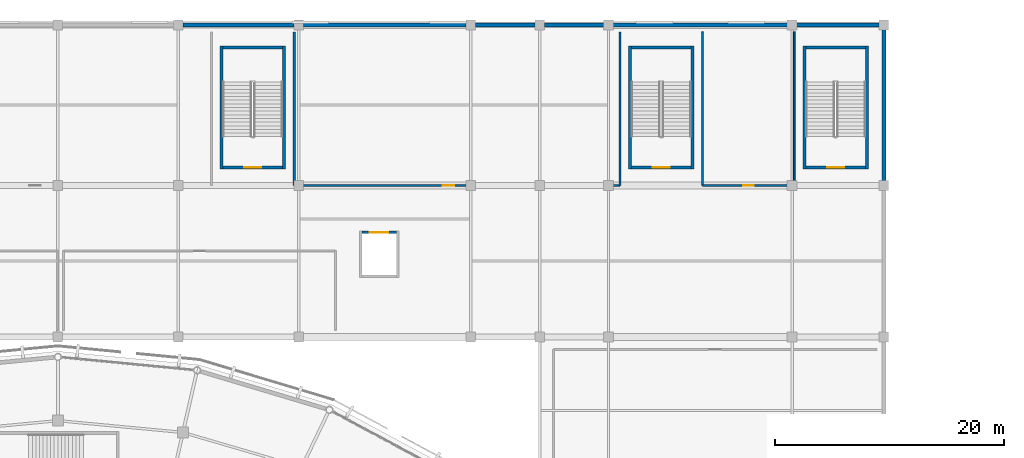
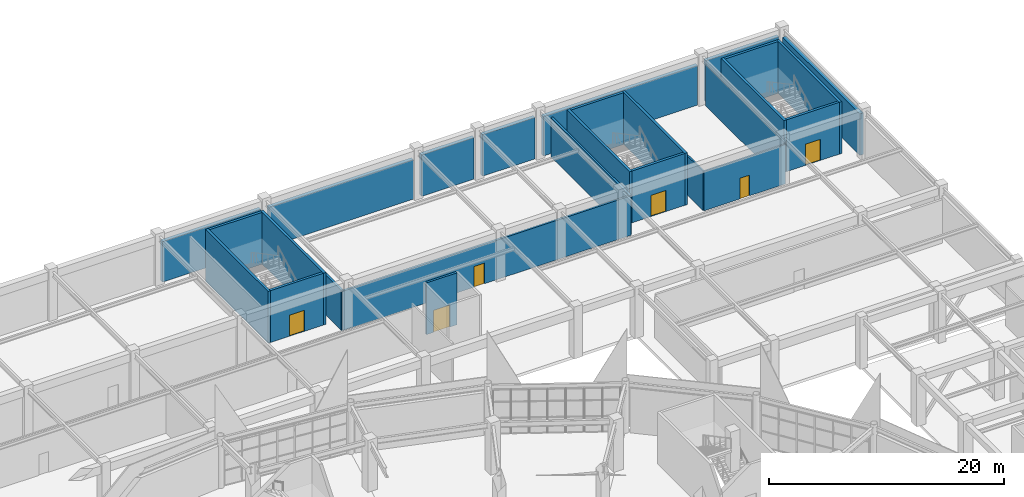
# One storey, part 85 of 120: 26 walls, 6 doors, 6 openings.
"""IFC4 building model written with IfcOpenShell, lengths in metres."""

import ifcopenshell
import ifcopenshell.guid

model = None  # the IFC model being written
_history = None  # IfcOwnerHistory: only IFC2X3 demands one
_inside = {}  # id of a spatial element -> (the spatial element, [elements in it])
_under = {}  # id of a project, library or spatial element -> (it, [spatial elements below it])
_declared = {}  # id of a project -> (the project, [libraries it declares])
_typed = {}  # id of a type object -> (the type object, [elements of that type])
_made_of = {}  # id of a material, layer set ... -> (it, [elements and type objects made of it])


def new_model(schema):
    """Start an empty IFC model of exactly this schema.

    Asked for "IFC4X3", IfcOpenShell would pick the latest addendum, in which some entities
    have other attributes; the version numbers below select the first issue.
    IFC2X3 requires an IfcOwnerHistory on every rooted entity: one is made here for all.
    """
    global model, _history
    if schema == "IFC4X3":
        model = ifcopenshell.file(schema_version=(4, 3, 0, 0))
    else:
        model = ifcopenshell.file(schema=schema)
    _inside.clear()
    _under.clear()
    _declared.clear()
    _typed.clear()
    _made_of.clear()
    _history = None
    if model.schema == "IFC2X3":
        org = make("IfcOrganization", Name="unknown")
        user = make(
            "IfcPersonAndOrganization",
            ThePerson=make("IfcPerson", FamilyName="unknown"),
            TheOrganization=org,
        )
        app = make(
            "IfcApplication",
            ApplicationDeveloper=org,
            Version="unknown",
            ApplicationFullName="unknown",
            ApplicationIdentifier="unknown",
        )
        _history = make(
            "IfcOwnerHistory",
            OwningUser=user,
            OwningApplication=app,
            ChangeAction="ADDED",
            CreationDate=0,
        )
    return model


def make(cls, **values):
    """One entity of the class cls with the attributes given. An attribute that is None is left unset."""
    return model.create_entity(
        cls, **{name: value for name, value in values.items() if value is not None}
    )


def rooted(cls, **values):
    """An entity with a GlobalId (a new one), such as an element, a storey or a relation."""
    return make(cls, GlobalId=ifcopenshell.guid.new(), OwnerHistory=_history, **values)


def si_unit(unit_type, name, prefix=None):
    """IfcSIUnit, for example si_unit("LENGTHUNIT", "METRE", prefix="MILLI")."""
    return make("IfcSIUnit", UnitType=unit_type, Prefix=prefix, Name=name)


def assignment(units):
    """IfcUnitAssignment: the units of a project."""
    return None if units is None else make("IfcUnitAssignment", Units=units)


def point(xyz):
    """IfcCartesianPoint."""
    return None if xyz is None else make("IfcCartesianPoint", Coordinates=xyz)


def direction(xyz):
    """IfcDirection."""
    return None if xyz is None else make("IfcDirection", DirectionRatios=xyz)


def frame(location, z_axis=None, x_axis=None):
    """IfcAxis2Placement3D, a coordinate frame: its origin and axes. An axis left out is left unset."""
    return make(
        "IfcAxis2Placement3D",
        Location=point(location),
        Axis=direction(z_axis),
        RefDirection=direction(x_axis),
    )


def frame_2d(location, x_axis=None):
    """IfcAxis2Placement2D, a coordinate frame in the plane: its origin and x axis."""
    return make(
        "IfcAxis2Placement2D", Location=point(location), RefDirection=direction(x_axis)
    )


def origin():
    """The frame at (0, 0, 0) with its axes left unset."""
    return frame((0.0, 0.0, 0.0))


def place(relative_to, where):
    """IfcLocalPlacement: puts the frame where relative to a parent placement (None: the world)."""
    return make(
        "IfcLocalPlacement", PlacementRelTo=relative_to, RelativePlacement=where
    )


def context(
    kind, dimensions, precision=None, world=None, true_north=None, identifier=None
):
    """IfcGeometricRepresentationContext, for example the 3D "Model" context."""
    return make(
        "IfcGeometricRepresentationContext",
        ContextIdentifier=identifier,
        ContextType=kind,
        CoordinateSpaceDimension=dimensions,
        Precision=precision,
        WorldCoordinateSystem=world,
        TrueNorth=true_north,
    )


def subcontext(parent, identifier, kind, view, scale=None):
    """IfcGeometricRepresentationSubContext, for example "Body" below "Model"."""
    return make(
        "IfcGeometricRepresentationSubContext",
        ContextIdentifier=identifier,
        ContextType=kind,
        ParentContext=parent,
        TargetScale=scale,
        TargetView=view,
    )


def project(units=None, contexts=None):
    """IfcProject with its units and contexts."""
    return rooted(
        "IfcProject",
        Name="project",
        RepresentationContexts=contexts,
        UnitsInContext=assignment(units),
    )


def spatial(cls, under=None, at=None, **own):
    """A site, building, storey or space (cls), placed at a placement, below another one or the project."""
    s = rooted(cls, ObjectPlacement=at, **own)
    if under is not None:
        _under.setdefault(under.id(), (under, []))[1].append(s)
    return s


def profile(cls, at=None, kind="AREA", **sizes):
    """A parametric profile (cls). Its sizes go by their IFC names, for example OverallWidth=200.0."""
    return make(cls, ProfileType=kind, Position=at, **sizes)


def rectangle(**sizes):
    """IfcRectangleProfileDef."""
    return profile("IfcRectangleProfileDef", **sizes)


def extrude(swept, where, along, depth):
    """IfcExtrudedAreaSolid: the profile swept, set in the frame where, extruded along a direction by depth."""
    return make(
        "IfcExtrudedAreaSolid",
        SweptArea=swept,
        Position=where,
        ExtrudedDirection=direction(along),
        Depth=depth,
    )


def shape(context_of_items, identifier, shape_type, items):
    """IfcShapeRepresentation: the items that make up one representation, for example the "Body"."""
    return make(
        "IfcShapeRepresentation",
        ContextOfItems=context_of_items,
        RepresentationIdentifier=identifier,
        RepresentationType=shape_type,
        Items=items,
    )


def material(Name=None, Category=None):
    """IfcMaterial."""
    return make("IfcMaterial", Name=Name, Category=Category)


def layer(
    of_material, thickness, ventilated=None, Name=None, Category=None, Priority=None
):
    """IfcMaterialLayer: one layer of a wall or slab, of a material (None: an air gap)."""
    return make(
        "IfcMaterialLayer",
        Material=of_material,
        LayerThickness=thickness,
        IsVentilated=ventilated,
        Name=Name,
        Category=Category,
        Priority=Priority,
    )


def layer_set(layers, Name=None):
    """IfcMaterialLayerSet."""
    return make("IfcMaterialLayerSet", MaterialLayers=layers, LayerSetName=Name)


def made_of(thing, what):
    """Note that an element or type object is made of a material, layer set ...; save() writes the relation."""
    if what is not None:
        _made_of.setdefault(what.id(), (what, []))[1].append(thing)
    return thing


def type_object(cls, material=None, **own):
    """A type object (cls), such as IfcWallType, which elements share."""
    return made_of(rooted(cls, **own), material)


def element(
    cls,
    number,
    at=None,
    inside=None,
    cuts=None,
    type_object=None,
    material=None,
    context=None,
    identifier="Body",
    shape_type=None,
    held_by="IfcProductDefinitionShape",
    body=None,
    shapes=None,
    **own,
):
    """One element of the class cls, such as IfcWall. Its Tag is "e" and its number.

    at: its placement. inside: the storey or other place that contains it. cuts: it is an
    opening in that element (IfcRelVoidsElement). A single representation is given by context,
    identifier, shape_type and body (its items); several are given by shapes. held_by: the class
    of the entity that holds the representations. save() writes the other relations.
    """
    e = rooted(cls, Tag="e%d" % number, ObjectPlacement=at, **own)
    if body is not None:
        shapes = [shape(context, identifier, shape_type, body)]
    if shapes is not None:
        e.Representation = make(held_by, Representations=shapes)
    if inside is not None:
        _inside.setdefault(inside.id(), (inside, []))[1].append(e)
    if cuts is not None:
        rooted(
            "IfcRelVoidsElement", RelatingBuildingElement=cuts, RelatedOpeningElement=e
        )
    if type_object is not None:
        _typed.setdefault(type_object.id(), (type_object, []))[1].append(e)
    return made_of(e, material)


def fill(opening, filler):
    """IfcRelFillsElement: the door or window that sits in an opening."""
    return rooted(
        "IfcRelFillsElement",
        RelatingOpeningElement=opening,
        RelatedBuildingElement=filler,
    )


def aggregate(whole, parts):
    """IfcRelAggregates: a whole, such as a stair, and the parts it consists of."""
    return rooted("IfcRelAggregates", RelatingObject=whole, RelatedObjects=parts)


def save(model, path):
    """Write the relations noted so far, then the file.

    IfcRelAggregates (storeys below a building ...), IfcRelContainedInSpatialStructure (elements
    in a storey), IfcRelDefinesByType, IfcRelAssociatesMaterial and IfcRelDeclares: one each for
    every whole, place, type object, material and project.
    """
    for whole, parts in _under.values():
        aggregate(whole, parts)
    for where, things in _inside.values():
        rooted(
            "IfcRelContainedInSpatialStructure",
            RelatedElements=things,
            RelatingStructure=where,
        )
    for kind, things in _typed.values():
        rooted("IfcRelDefinesByType", RelatedObjects=things, RelatingType=kind)
    for what, things in _made_of.values():
        rooted("IfcRelAssociatesMaterial", RelatedObjects=things, RelatingMaterial=what)
    for by, libraries in _declared.values():
        rooted("IfcRelDeclares", RelatingContext=by, RelatedDefinitions=libraries)
    model.write(path)


model = new_model("IFC4")

# Units and contexts
model_context = context("Model", 3, precision=1e-05, world=origin(), true_north=direction((0.0, 1.0)))
body_context = subcontext(model_context, "Body", "Model", "MODEL_VIEW")
ifc_project = project(units=[si_unit("LENGTHUNIT", "METRE"), si_unit("AREAUNIT", "SQUARE_METRE"), si_unit("VOLUMEUNIT", "CUBIC_METRE"), si_unit("PLANEANGLEUNIT", "RADIAN"), si_unit("MASSUNIT", "GRAM", prefix="KILO")], contexts=[model_context])

# Site, building, storey
site_placement = place(None, origin())
site = spatial("IfcSite", under=ifc_project, at=site_placement, CompositionType="ELEMENT")
building_placement = place(site_placement, origin())
building = spatial("IfcBuilding", under=site, at=building_placement, Name="Cuetzalor Civic Arena", CompositionType="ELEMENT")
storey_placement = place(building_placement, frame((0.0, 0.0, 6.0)))
storey = spatial("IfcBuildingStorey", under=building, at=storey_placement, Name="L01", CompositionType="ELEMENT", Elevation=6.0)

# Wall, opening, door
ifc_material_1 = material(Name="Acoustic steel-stud gypsum partition", Category="steel")
ifc_layer_1 = layer(ifc_material_1, 0.14990234375)
ifc_layer_set_1 = layer_set([ifc_layer_1], Name="Acoustic steel-stud gypsum partition")
wall_type_1 = type_object("IfcWallType", Name="AcousticGypsumPartition_150", PredefinedType="PARTITIONING", material=ifc_layer_set_1)
wall_1_placement = place(storey_placement, frame((64.199951171875, 61.5, 0.0), z_axis=(0.0, 0.0, 1.0), x_axis=(-1.0, 0.0, 0.0)))
wall_1 = element("IfcWall", 1, at=wall_1_placement, inside=storey, type_object=wall_type_1, Name="Interior Partition IWALL:L01:0249", PredefinedType="PARTITIONING", context=body_context, shape_type="SweptSolid", body=[
    extrude(rectangle(XDim=8.0, YDim=0.14990234375, at=frame_2d((4.0, 0.0))), origin(), (0.0, 0.0, 1.0), 4.10498046875),
])
opening_1_placement = place(wall_1_placement, frame((3.52490234375, 0.0, 0.0)))
opening_1 = element("IfcOpeningElement", 2, at=opening_1_placement, cuts=wall_1, Name="Opening ID-03", PredefinedType="OPENING", context=body_context, shape_type="SweptSolid", body=[
    extrude(rectangle(XDim=0.949951171875, YDim=2.14990234375, at=frame_2d((0.47509765625, 1.074951171875))), frame((0.0, 0.0849609375, 0.0), z_axis=(0.0, -1.0, 0.0), x_axis=(1.0, 0.0, 0.0)), (0.0, 0.0, 1.0), 0.169921875),
])
ifc_material_2 = material(Name="Painted steel frame and solid timber leaf", Category="steel")
door_type_1 = type_object("IfcDoorType", Name="InteriorSingleDoor_950x2150", OperationType="NOTDEFINED", PredefinedType="DOOR", material=ifc_material_2)
door_1_placement = place(opening_1_placement, origin())
door_1 = element("IfcDoor", 3, at=door_1_placement, inside=storey, type_object=door_type_1, Name="Door to Central Catering Commissary", OperationType="SINGLE_SWING_RIGHT", OverallHeight=2.14990234375, OverallWidth=0.949951171875, PredefinedType="DOOR", context=body_context, shape_type="SweptSolid", body=[
    extrude(rectangle(XDim=0.949951171875, YDim=2.14990234375, at=frame_2d((0.47509765625, 1.074951171875))), frame((0.0, 0.02490234375, 0.0), z_axis=(0.0, -1.0, 0.0), x_axis=(1.0, 0.0, 0.0)), (0.0, 0.0, 1.0), 0.050048828125),
])
fill(opening_1, door_1)

# Walls
wall_2_placement = place(storey_placement, frame((64.199951171875, 74.89990234375, 0.0), z_axis=(0.0, 0.0, 1.0), x_axis=(0.0, -1.0, 0.0)))
element("IfcWall", 4, at=wall_2_placement, inside=storey, type_object=wall_type_1, Name="Interior Partition IWALL:L01:0250", PredefinedType="PARTITIONING", context=body_context, shape_type="SweptSolid", body=[
    extrude(rectangle(XDim=13.39990234375, YDim=0.14990234375, at=frame_2d((6.699951171875, 0.0))), origin(), (0.0, 0.0, 1.0), 4.304931640625),
])
wall_3_placement = place(storey_placement, frame((56.199951171875, 61.5, 0.0), z_axis=(0.0, 0.0, 1.0), x_axis=(0.0, 1.0, 0.0)))
element("IfcWall", 5, at=wall_3_placement, inside=storey, type_object=wall_type_1, Name="Interior Partition IWALL:L01:0251", PredefinedType="PARTITIONING", context=body_context, shape_type="SweptSolid", body=[
    extrude(rectangle(XDim=13.39990234375, YDim=0.14990234375, at=frame_2d((6.699951171875, 0.0))), origin(), (0.0, 0.0, 1.0), 4.10498046875),
])
ifc_material_3 = material(Name="Dark volcanic basalt ashlar on Concrete C35/45", Category="masonry")
ifc_layer_2 = layer(ifc_material_3, 0.35009765625)
ifc_layer_set_2 = layer_set([ifc_layer_2], Name="Dark volcanic basalt ashlar on Concrete C35/45")
wall_type_2 = type_object("IfcWallType", Name="BasaltAshlarWall_350", PredefinedType="SOLIDWALL", material=ifc_layer_set_2)
wall_4_placement = place(storey_placement, frame((10.906982421875, 75.5, 0.0), z_axis=(0.0, 0.0, 1.0), x_axis=(1.0, 0.0, 0.0)))
element("IfcWall", 6, at=wall_4_placement, inside=storey, type_object=wall_type_2, Name="North Basalt Facade Wall L01-209", PredefinedType="SOLIDWALL", context=body_context, shape_type="SweptSolid", body=[
    extrude(rectangle(XDim=9.68603515625, YDim=0.35009765625, at=frame_2d((4.843017578125, 0.0))), origin(), (0.0, 0.0, 1.0), 4.219970703125),
])
wall_5_placement = place(storey_placement, frame((21.406982421875, 75.5, 0.0), z_axis=(0.0, 0.0, 1.0), x_axis=(1.0, 0.0, 0.0)))
element("IfcWall", 7, at=wall_5_placement, inside=storey, type_object=wall_type_2, Name="North Basalt Facade Wall L01-210", PredefinedType="SOLIDWALL", context=body_context, shape_type="SweptSolid", body=[
    extrude(rectangle(XDim=14.18603515625, YDim=0.35009765625, at=frame_2d((7.093017578125, 0.0))), origin(), (0.0, 0.0, 1.0), 4.1201171875),
])
for number, where, z_axis, x_axis, name in (
    (8, (36.406982421875, 75.5, 0.0), (0.0, 0.0, 1.0), (1.0, 0.0, 0.0), "North Basalt Facade Wall L01-211"),
    (9, (42.406982421875, 75.5, 0.0), (0.0, 0.0, 1.0), (1.0, 0.0, 0.0), "North Basalt Facade Wall L01-212"),
):
    element("IfcWall", number, at=place(storey_placement, frame(where, z_axis=z_axis, x_axis=x_axis)), inside=storey, type_object=wall_type_2, Name=name, PredefinedType="SOLIDWALL", context=body_context, shape_type="SweptSolid", body=[
        extrude(rectangle(XDim=5.18603515625, YDim=0.35009765625, at=frame_2d((2.593017578125, 0.0))), origin(), (0.0, 0.0, 1.0), 4.320068359375),
    ])
wall_6_placement = place(storey_placement, frame((48.406982421875, 75.5, 0.0), z_axis=(0.0, 0.0, 1.0), x_axis=(1.0, 0.0, 0.0)))
element("IfcWall", 10, at=wall_6_placement, inside=storey, type_object=wall_type_2, Name="North Basalt Facade Wall L01-213", PredefinedType="SOLIDWALL", context=body_context, shape_type="SweptSolid", body=[
    extrude(rectangle(XDim=15.18603515625, YDim=0.35009765625, at=frame_2d((7.593017578125, 0.0))), origin(), (0.0, 0.0, 1.0), 4.1201171875),
])
wall_7_placement = place(storey_placement, frame((64.406982421875, 75.5, 0.0), z_axis=(0.0, 0.0, 1.0), x_axis=(1.0, 0.0, 0.0)))
element("IfcWall", 11, at=wall_7_placement, inside=storey, type_object=wall_type_2, Name="North Basalt Facade Wall L01-214", PredefinedType="SOLIDWALL", context=body_context, shape_type="SweptSolid", body=[
    extrude(rectangle(XDim=7.18603515625, YDim=0.35009765625, at=frame_2d((3.593017578125, 0.0))), origin(), (0.0, 0.0, 1.0), 4.320068359375),
])
wall_8_placement = place(storey_placement, frame((72.0, 75.093017578125, 0.0), z_axis=(0.0, 0.0, 1.0), x_axis=(0.0, -1.0, 0.0)))
element("IfcWall", 12, at=wall_8_placement, inside=storey, type_object=wall_type_2, Name="North Wing East Basalt Wall L01-244", PredefinedType="SOLIDWALL", context=body_context, shape_type="SweptSolid", body=[
    extrude(rectangle(XDim=13.18603515625, YDim=0.35009765625, at=frame_2d((6.593017578125, 0.0))), origin(), (0.0, 0.0, 1.0), 4.320068359375),
])
ifc_material_4 = material(Name="Concrete C40/50", Category="concrete")
ifc_layer_3 = layer(ifc_material_4, 0.25)
ifc_layer_set_3 = layer_set([ifc_layer_3], Name="Concrete C40/50")
wall_type_3 = type_object("IfcWallType", Name="ConcreteCoreShearWall_250", PredefinedType="SHEAR", material=ifc_layer_set_3)
wall_9_placement = place(storey_placement, frame((14.27490234375, 62.949951171875, 0.0), z_axis=(0.0, 0.0, 1.0), x_axis=(0.0, 1.0, 0.0)))
element("IfcWall", 13, at=wall_9_placement, inside=storey, type_object=wall_type_3, Name="Stair Core Shear Wall ST-26-L01-W", PredefinedType="SHEAR", context=body_context, shape_type="SweptSolid", body=[
    extrude(rectangle(XDim=10.699951171875, YDim=0.25, at=frame_2d((5.35009765625, 0.0))), origin(), (0.0, 0.0, 1.0), 5.39990234375),
])
wall_10_placement = place(storey_placement, frame((14.39990234375, 73.52490234375, 0.0), z_axis=(0.0, 0.0, 1.0), x_axis=(1.0, 0.0, 0.0)))
element("IfcWall", 14, at=wall_10_placement, inside=storey, type_object=wall_type_3, Name="Stair Core Shear Wall ST-26-L01-N", PredefinedType="SHEAR", context=body_context, shape_type="SweptSolid", body=[
    extrude(rectangle(XDim=5.2001953125, YDim=0.25, at=frame_2d((2.60009765625, 0.0))), origin(), (0.0, 0.0, 1.0), 5.39990234375),
])
wall_11_placement = place(storey_placement, frame((19.72509765625, 73.64990234375, 0.0), z_axis=(0.0, 0.0, 1.0), x_axis=(0.0, -1.0, 0.0)))
element("IfcWall", 15, at=wall_11_placement, inside=storey, type_object=wall_type_3, Name="Stair Core Shear Wall ST-26-L01-E", PredefinedType="SHEAR", context=body_context, shape_type="SweptSolid", body=[
    extrude(rectangle(XDim=10.699951171875, YDim=0.25, at=frame_2d((5.35009765625, 0.0))), origin(), (0.0, 0.0, 1.0), 5.39990234375),
])

# Wall, opening, door
wall_12_placement = place(storey_placement, frame((19.60009765625, 63.074951171875, 0.0), z_axis=(0.0, 0.0, 1.0), x_axis=(-1.0, 0.0, 0.0)))
wall_12 = element("IfcWall", 16, at=wall_12_placement, inside=storey, type_object=wall_type_3, Name="Stair Core Shear Wall ST-26-L01-S", PredefinedType="SHEAR", context=body_context, shape_type="SweptSolid", body=[
    extrude(rectangle(XDim=5.2001953125, YDim=0.25, at=frame_2d((2.60009765625, 0.0))), origin(), (0.0, 0.0, 1.0), 5.39990234375),
])
opening_2_placement = place(wall_12_placement, frame((1.85009765625, 0.0, 0.0)))
opening_2 = element("IfcOpeningElement", 17, at=opening_2_placement, cuts=wall_12, Name="Opening FD-03", PredefinedType="OPENING", context=body_context, shape_type="SweptSolid", body=[
    extrude(rectangle(XDim=1.5, YDim=2.199951171875, at=frame_2d((0.75, 1.10009765625))), frame((0.0, 0.135009765625, 0.0), z_axis=(0.0, -1.0, 0.0), x_axis=(1.0, 0.0, 0.0)), (0.0, 0.0, 1.0), 0.27001953125),
])
ifc_material_5 = material(Name="Fire-rated steel stair exit double door", Category="steel")
door_type_2 = type_object("IfcDoorType", Name="StairFireDoubleDoor_1500x2200", OperationType="DOUBLE_DOOR_SINGLE_SWING", PredefinedType="DOOR", material=ifc_material_5)
door_2_placement = place(opening_2_placement, origin())
door_2 = element("IfcDoor", 18, at=door_2_placement, inside=storey, type_object=door_type_2, Name="Fire Stair Door ST-26 L01", OperationType="DOUBLE_DOOR_SINGLE_SWING", OverallHeight=2.199951171875, OverallWidth=1.5, PredefinedType="DOOR", context=body_context, shape_type="SweptSolid", body=[
    extrude(rectangle(XDim=1.5, YDim=2.199951171875, at=frame_2d((0.75, 1.10009765625))), frame((0.0, 0.02490234375, 0.0), z_axis=(0.0, -1.0, 0.0), x_axis=(1.0, 0.0, 0.0)), (0.0, 0.0, 1.0), 0.050048828125),
])
fill(opening_2, door_2)

# Walls
wall_13_placement = place(storey_placement, frame((49.875, 62.949951171875, 0.0), z_axis=(0.0, 0.0, 1.0), x_axis=(0.0, 1.0, 0.0)))
element("IfcWall", 19, at=wall_13_placement, inside=storey, type_object=wall_type_3, Name="Stair Core Shear Wall ST-27-L01-W", PredefinedType="SHEAR", context=body_context, shape_type="SweptSolid", body=[
    extrude(rectangle(XDim=10.699951171875, YDim=0.25, at=frame_2d((5.35009765625, 0.0))), origin(), (0.0, 0.0, 1.0), 5.39990234375),
])
wall_14_placement = place(storey_placement, frame((50.0, 73.52490234375, 0.0), z_axis=(0.0, 0.0, 1.0), x_axis=(1.0, 0.0, 0.0)))
element("IfcWall", 20, at=wall_14_placement, inside=storey, type_object=wall_type_3, Name="Stair Core Shear Wall ST-27-L01-N", PredefinedType="SHEAR", context=body_context, shape_type="SweptSolid", body=[
    extrude(rectangle(XDim=5.199951171875, YDim=0.25, at=frame_2d((2.60009765625, 0.0))), origin(), (0.0, 0.0, 1.0), 5.39990234375),
])
wall_15_placement = place(storey_placement, frame((55.324951171875, 73.64990234375, 0.0), z_axis=(0.0, 0.0, 1.0), x_axis=(0.0, -1.0, 0.0)))
element("IfcWall", 21, at=wall_15_placement, inside=storey, type_object=wall_type_3, Name="Stair Core Shear Wall ST-27-L01-E", PredefinedType="SHEAR", context=body_context, shape_type="SweptSolid", body=[
    extrude(rectangle(XDim=10.699951171875, YDim=0.25, at=frame_2d((5.35009765625, 0.0))), origin(), (0.0, 0.0, 1.0), 5.39990234375),
])

# Wall, opening, door
wall_16_placement = place(storey_placement, frame((55.199951171875, 63.074951171875, 0.0), z_axis=(0.0, 0.0, 1.0), x_axis=(-1.0, 0.0, 0.0)))
wall_16 = element("IfcWall", 22, at=wall_16_placement, inside=storey, type_object=wall_type_3, Name="Stair Core Shear Wall ST-27-L01-S", PredefinedType="SHEAR", context=body_context, shape_type="SweptSolid", body=[
    extrude(rectangle(XDim=5.199951171875, YDim=0.25, at=frame_2d((2.60009765625, 0.0))), origin(), (0.0, 0.0, 1.0), 5.39990234375),
])
opening_3_placement = place(wall_16_placement, frame((1.85009765625, 0.0, 0.0)))
opening_3 = element("IfcOpeningElement", 23, at=opening_3_placement, cuts=wall_16, Name="Opening FD-03", PredefinedType="OPENING", context=body_context, shape_type="SweptSolid", body=[
    extrude(rectangle(XDim=1.5, YDim=2.199951171875, at=frame_2d((0.75, 1.10009765625))), frame((0.0, 0.135009765625, 0.0), z_axis=(0.0, -1.0, 0.0), x_axis=(1.0, 0.0, 0.0)), (0.0, 0.0, 1.0), 0.27001953125),
])
door_3_placement = place(opening_3_placement, origin())
door_3 = element("IfcDoor", 24, at=door_3_placement, inside=storey, type_object=door_type_2, Name="Fire Stair Door ST-27 L01", OperationType="DOUBLE_DOOR_SINGLE_SWING", OverallHeight=2.199951171875, OverallWidth=1.5, PredefinedType="DOOR", context=body_context, shape_type="SweptSolid", body=[
    extrude(rectangle(XDim=1.5, YDim=2.199951171875, at=frame_2d((0.75, 1.10009765625))), frame((0.0, 0.02490234375, 0.0), z_axis=(0.0, -1.0, 0.0), x_axis=(1.0, 0.0, 0.0)), (0.0, 0.0, 1.0), 0.050048828125),
])
fill(opening_3, door_3)

# Walls
wall_17_placement = place(storey_placement, frame((65.074951171875, 62.949951171875, 0.0), z_axis=(0.0, 0.0, 1.0), x_axis=(0.0, 1.0, 0.0)))
element("IfcWall", 25, at=wall_17_placement, inside=storey, type_object=wall_type_3, Name="Stair Core Shear Wall ST-28-L01-W", PredefinedType="SHEAR", context=body_context, shape_type="SweptSolid", body=[
    extrude(rectangle(XDim=10.699951171875, YDim=0.25, at=frame_2d((5.35009765625, 0.0))), origin(), (0.0, 0.0, 1.0), 5.39990234375),
])
wall_18_placement = place(storey_placement, frame((65.199951171875, 73.52490234375, 0.0), z_axis=(0.0, 0.0, 1.0), x_axis=(1.0, 0.0, 0.0)))
element("IfcWall", 26, at=wall_18_placement, inside=storey, type_object=wall_type_3, Name="Stair Core Shear Wall ST-28-L01-N", PredefinedType="SHEAR", context=body_context, shape_type="SweptSolid", body=[
    extrude(rectangle(XDim=5.199951171875, YDim=0.25, at=frame_2d((2.60009765625, 0.0))), origin(), (0.0, 0.0, 1.0), 5.39990234375),
])
wall_19_placement = place(storey_placement, frame((70.52490234375, 73.64990234375, 0.0), z_axis=(0.0, 0.0, 1.0), x_axis=(0.0, -1.0, 0.0)))
element("IfcWall", 27, at=wall_19_placement, inside=storey, type_object=wall_type_3, Name="Stair Core Shear Wall ST-28-L01-E", PredefinedType="SHEAR", context=body_context, shape_type="SweptSolid", body=[
    extrude(rectangle(XDim=10.699951171875, YDim=0.25, at=frame_2d((5.35009765625, 0.0))), origin(), (0.0, 0.0, 1.0), 5.39990234375),
])

# Wall, opening, door
wall_20_placement = place(storey_placement, frame((70.39990234375, 63.074951171875, 0.0), z_axis=(0.0, 0.0, 1.0), x_axis=(-1.0, 0.0, 0.0)))
wall_20 = element("IfcWall", 28, at=wall_20_placement, inside=storey, type_object=wall_type_3, Name="Stair Core Shear Wall ST-28-L01-S", PredefinedType="SHEAR", context=body_context, shape_type="SweptSolid", body=[
    extrude(rectangle(XDim=5.199951171875, YDim=0.25, at=frame_2d((2.60009765625, 0.0))), origin(), (0.0, 0.0, 1.0), 5.39990234375),
])
opening_4_placement = place(wall_20_placement, frame((1.85009765625, 0.0, 0.0)))
opening_4 = element("IfcOpeningElement", 29, at=opening_4_placement, cuts=wall_20, Name="Opening FD-03", PredefinedType="OPENING", context=body_context, shape_type="SweptSolid", body=[
    extrude(rectangle(XDim=1.5, YDim=2.199951171875, at=frame_2d((0.75, 1.10009765625))), frame((0.0, 0.135009765625, 0.0), z_axis=(0.0, -1.0, 0.0), x_axis=(1.0, 0.0, 0.0)), (0.0, 0.0, 1.0), 0.27001953125),
])
door_4_placement = place(opening_4_placement, origin())
door_4 = element("IfcDoor", 30, at=door_4_placement, inside=storey, type_object=door_type_2, Name="Fire Stair Door ST-28 L01", OperationType="DOUBLE_DOOR_SINGLE_SWING", OverallHeight=2.199951171875, OverallWidth=1.5, PredefinedType="DOOR", context=body_context, shape_type="SweptSolid", body=[
    extrude(rectangle(XDim=1.5, YDim=2.199951171875, at=frame_2d((0.75, 1.10009765625))), frame((0.0, 0.02490234375, 0.0), z_axis=(0.0, -1.0, 0.0), x_axis=(1.0, 0.0, 0.0)), (0.0, 0.0, 1.0), 0.050048828125),
])
fill(opening_4, door_4)

ifc_material_6 = material(Name="Fire-rated masonry and gypsum partition", Category="masonry")
ifc_layer_4 = layer(ifc_material_6, 0.199951171875)
ifc_layer_set_4 = layer_set([ifc_layer_4], Name="Fire-rated masonry and gypsum partition")
wall_type_4 = type_object("IfcWallType", Name="FireCompartmentWall_200", PredefinedType="PARTITIONING", material=ifc_layer_set_4)
wall_21_placement = place(storey_placement, frame((49.0, 61.5, 0.0), z_axis=(0.0, 0.0, 1.0), x_axis=(-1.0, 0.0, 0.0)))
wall_21 = element("IfcWall", 31, at=wall_21_placement, inside=storey, type_object=wall_type_4, Name="Interior Partition IWALL:L01:0246", PredefinedType="PARTITIONING", context=body_context, shape_type="SweptSolid", body=[
    extrude(rectangle(XDim=28.39990234375, YDim=0.199951171875, at=frame_2d((14.199951171875, 0.0))), origin(), (0.0, 0.0, 1.0), 4.10498046875),
])
opening_5_placement = place(wall_21_placement, frame((14.449951171875, 0.0, 0.0)))
opening_5 = element("IfcOpeningElement", 32, at=opening_5_placement, cuts=wall_21, Name="Opening FD-01", PredefinedType="OPENING", context=body_context, shape_type="SweptSolid", body=[
    extrude(rectangle(XDim=1.0, YDim=2.14990234375, at=frame_2d((0.5, 1.074951171875))), frame((0.0, 0.10986328125, 0.0), z_axis=(0.0, -1.0, 0.0), x_axis=(1.0, 0.0, 0.0)), (0.0, 0.0, 1.0), 0.219970703125),
])
ifc_material_7 = material(Name="Fire-rated insulated steel door", Category="steel")
door_type_3 = type_object("IfcDoorType", Name="FireSingleDoor_1000x2150", OperationType="NOTDEFINED", PredefinedType="DOOR", material=ifc_material_7)
door_5_placement = place(opening_5_placement, origin())
door_5 = element("IfcDoor", 33, at=door_5_placement, inside=storey, type_object=door_type_3, Name="Door to AHU Plant Room North L01", OperationType="SINGLE_SWING_LEFT", OverallHeight=2.14990234375, OverallWidth=1.0, PredefinedType="DOOR", context=body_context, shape_type="SweptSolid", body=[
    extrude(rectangle(XDim=1.0, YDim=2.14990234375, at=frame_2d((0.5, 1.074951171875))), frame((0.0, 0.02490234375, 0.0), z_axis=(0.0, -1.0, 0.0), x_axis=(1.0, 0.0, 0.0)), (0.0, 0.0, 1.0), 0.050048828125),
])
fill(opening_5, door_5)

# Walls
wall_22_placement = place(storey_placement, frame((49.0, 74.89990234375, 0.0), z_axis=(0.0, 0.0, 1.0), x_axis=(0.0, -1.0, 0.0)))
element("IfcWall", 34, at=wall_22_placement, inside=storey, type_object=wall_type_4, Name="Interior Partition IWALL:L01:0247", PredefinedType="PARTITIONING", context=body_context, shape_type="SweptSolid", body=[
    extrude(rectangle(XDim=13.39990234375, YDim=0.199951171875, at=frame_2d((6.699951171875, 0.0))), origin(), (0.0, 0.0, 1.0), 4.10498046875),
])
wall_23_placement = place(storey_placement, frame((20.60009765625, 61.5, 0.0), z_axis=(0.0, 0.0, 1.0), x_axis=(0.0, 1.0, 0.0)))
element("IfcWall", 35, at=wall_23_placement, inside=storey, type_object=wall_type_4, Name="Interior Partition IWALL:L01:0248", PredefinedType="PARTITIONING", context=body_context, shape_type="SweptSolid", body=[
    extrude(rectangle(XDim=13.39990234375, YDim=0.199951171875, at=frame_2d((6.699951171875, 0.0))), origin(), (0.0, 0.0, 1.0), 4.205078125),
])

# Wall, opening, door
ifc_material_8 = material(Name="Concrete C40/50", Category="concrete")
ifc_layer_5 = layer(ifc_material_8, 0.219970703125)
ifc_layer_set_5 = layer_set([ifc_layer_5], Name="Concrete C40/50")
wall_type_5 = type_object("IfcWallType", Name="LiftShaftShearWall_220", PredefinedType="SHEAR", material=ifc_layer_set_5)
wall_24_placement = place(storey_placement, frame((26.5, 57.409912109375, 0.0), z_axis=(0.0, 0.0, 1.0), x_axis=(1.0, 0.0, 0.0)))
wall_24 = element("IfcWall", 36, at=wall_24_placement, inside=storey, type_object=wall_type_5, Name="Lift Shaft Wall LS-02-L01-N", PredefinedType="SHEAR", context=body_context, shape_type="SweptSolid", body=[
    extrude(rectangle(XDim=3.0, YDim=0.219970703125, at=frame_2d((1.5, 0.0))), origin(), (0.0, 0.0, 1.0), 5.39990234375),
])
opening_6_placement = place(wall_24_placement, frame((0.699951171875, 0.0, 0.0)))
opening_6 = element("IfcOpeningElement", 37, at=opening_6_placement, cuts=wall_24, Name="Opening LD-03", PredefinedType="OPENING", context=body_context, shape_type="SweptSolid", body=[
    extrude(rectangle(XDim=1.60009765625, YDim=2.300048828125, at=frame_2d((0.800048828125, 1.14990234375))), frame((0.0, 0.1201171875, 0.0), z_axis=(0.0, -1.0, 0.0), x_axis=(1.0, 0.0, 0.0)), (0.0, 0.0, 1.0), 0.239990234375),
])
ifc_material_9 = material(Name="Heavy freight stainless steel sliding lift landing door", Category="steel")
door_type_4 = type_object("IfcDoorType", Name="LiftLandingSlidingDoor_1600x2300", OperationType="SLIDING_TO_LEFT", PredefinedType="DOOR", material=ifc_material_9)
door_6_placement = place(opening_6_placement, origin())
door_6 = element("IfcDoor", 38, at=door_6_placement, inside=storey, type_object=door_type_4, Name="Lift Landing Sliding Door LS-02 L01", OperationType="SLIDING_TO_LEFT", OverallHeight=2.300048828125, OverallWidth=1.60009765625, PredefinedType="DOOR", context=body_context, shape_type="SweptSolid", body=[
    extrude(rectangle(XDim=1.60009765625, YDim=2.300048828125, at=frame_2d((0.800048828125, 1.14990234375))), frame((0.0, 0.02490234375, 0.0), z_axis=(0.0, -1.0, 0.0), x_axis=(1.0, 0.0, 0.0)), (0.0, 0.0, 1.0), 0.050048828125),
])
fill(opening_6, door_6)

save(model, "model.ifc")
